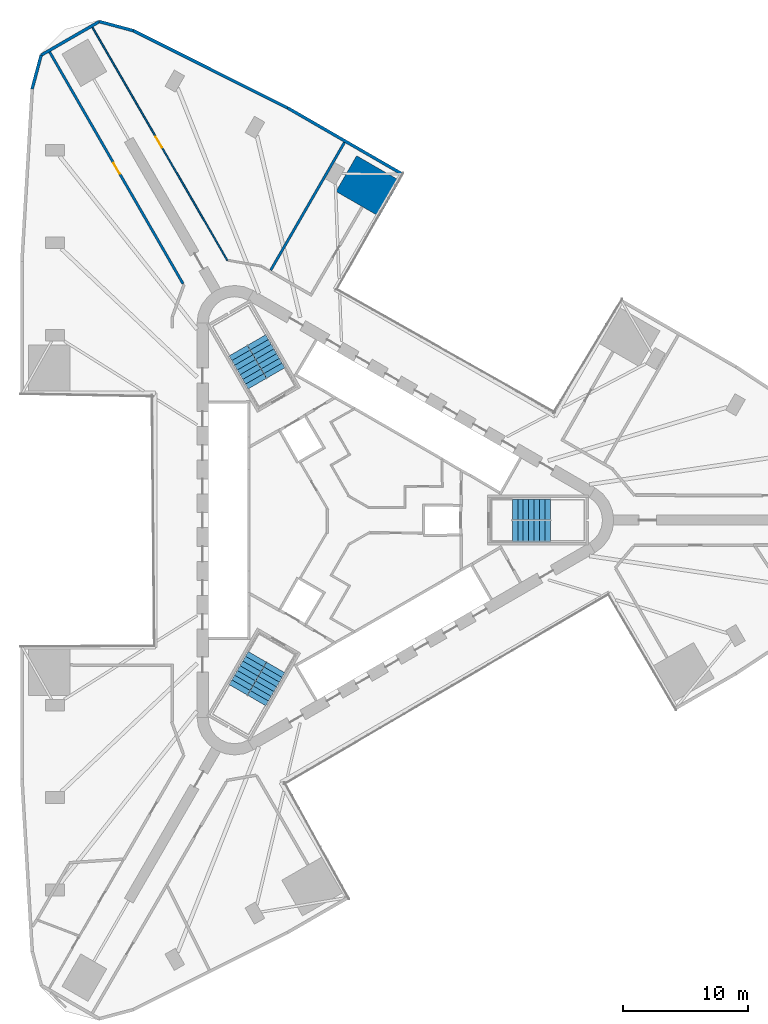
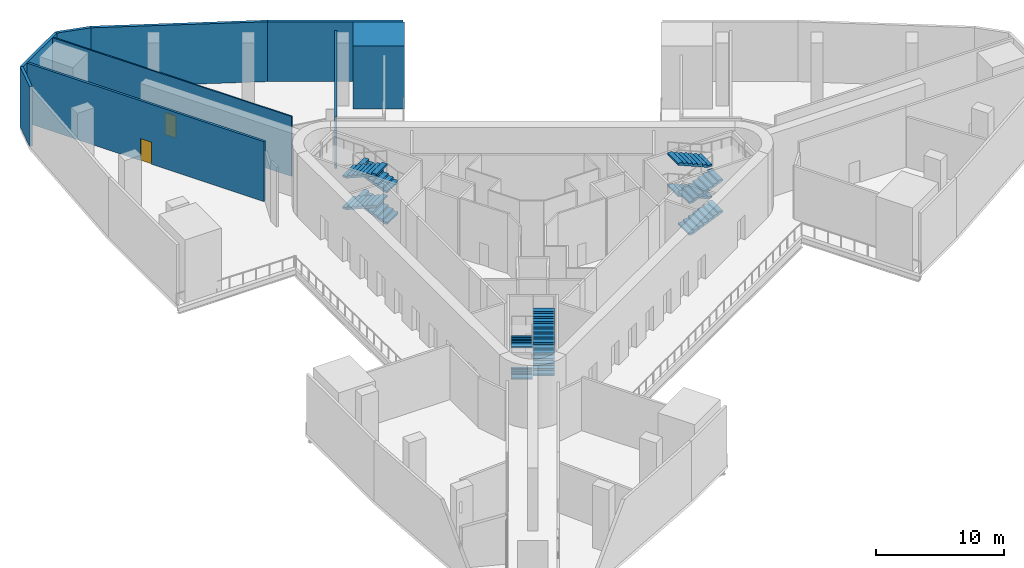
# One storey, part 8 of 11: 12 stair flights, 9 walls, 2 doors, 2 openings, 3 elements without a shape of their own.
"""IFC4 building model written with IfcOpenShell, lengths in metres."""

from ifc_helpers import new_model, si_unit, direction, frame, frame_2d, origin, place, context, subcontext, project, spatial, polyline, rectangle, outline, extrude, material, layer, layer_set, type_object, element, fill, aggregate, save


model = new_model("IFC4")

# Units and contexts
model_context = context("Model", 3, precision=1e-05, world=origin(), true_north=direction((0.0, 1.0)))
body_context = subcontext(model_context, "Body", "Model", "MODEL_VIEW")
ifc_project = project(units=[si_unit("LENGTHUNIT", "METRE"), si_unit("AREAUNIT", "SQUARE_METRE"), si_unit("VOLUMEUNIT", "CUBIC_METRE"), si_unit("PLANEANGLEUNIT", "RADIAN"), si_unit("MASSUNIT", "GRAM", prefix="KILO")], contexts=[model_context])

# Site, building, storey
site_placement = place(None, origin())
site = spatial("IfcSite", under=ifc_project, at=site_placement, CompositionType="ELEMENT")
building_placement = place(site_placement, origin())
building = spatial("IfcBuilding", under=site, at=building_placement, Name="Tanit Gate Tower", CompositionType="ELEMENT")
storey_placement = place(building_placement, frame((0.0, 0.0, 21.5)))
storey = spatial("IfcBuildingStorey", under=building, at=storey_placement, Name="L03", CompositionType="ELEMENT", Elevation=21.5)

# Walls
ifc_material_1 = material(Name="Concrete C30/37 with bronze anodised aluminium cladding", Category="concrete")
ifc_layer_1 = layer(ifc_material_1, 0.239990234375)
ifc_layer_set_1 = layer_set([ifc_layer_1], Name="Facade wall bronze clad 240")
wall_type_1 = type_object("IfcWallType", Name="Facade wall bronze clad 240", PredefinedType="SOLIDWALL", material=ifc_layer_set_1)
wall_1_placement = place(storey_placement, frame((4.2900390625, 27.669677734375, 0.0), z_axis=(0.0, 0.0, 1.0), x_axis=(-0.866062075984, 0.499936476508, 0.0)))
element("IfcWall", 1, at=wall_1_placement, inside=storey, type_object=wall_type_1, Name="Bronze-clad facade wall L03 NE2b", PredefinedType="SOLIDWALL", context=body_context, shape_type="SweptSolid", body=[
    extrude(rectangle(XDim=10.565673828125, YDim=0.239990234375, at=frame_2d((5.28271484375, 0.0))), origin(), (0.0, 0.0, 1.0), 5.699951171875),
])
wall_2_placement = place(storey_placement, frame((-4.860595703125, 32.951904296875, 0.0), z_axis=(0.0, 0.0, 1.0), x_axis=(-0.894285628533, 0.447496608478, 0.0)))
element("IfcWall", 2, at=wall_2_placement, inside=storey, type_object=wall_type_1, Name="Bronze-clad facade wall L03 NE3", PredefinedType="SOLIDWALL", context=body_context, shape_type="SweptSolid", body=[
    extrude(rectangle(XDim=13.80126953125, YDim=0.239990234375, at=frame_2d((6.900634765625, 0.0))), origin(), (0.0, 0.0, 1.0), 5.699951171875),
])
wall_3_placement = place(storey_placement, frame((-17.202880859375, 39.1279296875, 0.0), z_axis=(0.0, 0.0, 1.0), x_axis=(-0.965923146675, 0.25882904535, 0.0)))
element("IfcWall", 3, at=wall_3_placement, inside=storey, type_object=wall_type_1, Name="Bronze-clad facade wall L03 NW.arc1", PredefinedType="SOLIDWALL", context=body_context, shape_type="SweptSolid", body=[
    extrude(rectangle(XDim=2.800537109375, YDim=0.239990234375, at=frame_2d((1.400390625, 0.0))), origin(), (0.0, 0.0, 1.0), 5.699951171875),
])
wall_4_placement = place(storey_placement, frame((-19.907958984375, 39.852783203125, 0.0), z_axis=(0.0, 0.0, 1.0), x_axis=(-0.866010734295, -0.500025407441, 0.0)))
element("IfcWall", 4, at=wall_4_placement, inside=storey, type_object=wall_type_1, Name="Bronze-clad facade wall L03 NW.arc2", PredefinedType="SOLIDWALL", context=body_context, shape_type="SweptSolid", body=[
    extrude(rectangle(XDim=5.371337890625, YDim=0.239990234375, at=frame_2d((2.685546875, 0.0))), origin(), (0.0, 0.0, 1.0), 5.699951171875),
])
wall_5_placement = place(storey_placement, frame((-24.5595703125, 37.1669921875, 0.0), z_axis=(0.0, 0.0, 1.0), x_axis=(-0.258850842196, -0.965917305723, 0.0)))
element("IfcWall", 5, at=wall_5_placement, inside=storey, type_object=wall_type_1, Name="Bronze-clad facade wall L03 NW.arc3", PredefinedType="SOLIDWALL", context=body_context, shape_type="SweptSolid", body=[
    extrude(rectangle(XDim=2.80029296875, YDim=0.239990234375, at=frame_2d((1.400146484375, 0.0))), origin(), (0.0, 0.0, 1.0), 5.699951171875),
])

# Wall, opening, door
ifc_material_2 = material(Name="Fire-rated gypsum board partition")
ifc_layer_2 = layer(ifc_material_2, 0.199951171875)
ifc_layer_set_2 = layer_set([ifc_layer_2], Name="INT-WALL-COMPARTMENT")
wall_type_2 = type_object("IfcWallType", Name="INT-WALL-COMPARTMENT", PredefinedType="PARTITIONING", material=ifc_layer_set_2)
wall_6_placement = place(storey_placement, frame((-13.2216796875, 18.90087890625, 0.0), z_axis=(0.0, 0.0, 1.0), x_axis=(-0.498838585436, 0.866694909227, 0.0)))
wall_6 = element("IfcWall", 6, at=wall_6_placement, inside=storey, type_object=wall_type_2, Name="Wall Compartment W088", PredefinedType="PARTITIONING", context=body_context, shape_type="SweptSolid", body=[
    extrude(rectangle(XDim=21.367919921875, YDim=0.199951171875, at=frame_2d((10.68408203125, 0.0))), origin(), (0.0, 0.0, 1.0), 5.699951171875),
])
opening_1_placement = place(wall_6_placement, frame((10.134033203125, 0.0, 0.0)))
opening_1 = element("IfcOpeningElement", 7, at=opening_1_placement, cuts=wall_6, Name="Opening F10-03-14", PredefinedType="OPENING", context=body_context, shape_type="SweptSolid", body=[
    extrude(rectangle(XDim=1.0, YDim=2.10009765625, at=frame_2d((0.5, 1.050048828125))), frame((0.0, 0.10986328125, 0.0), z_axis=(0.0, -1.0, 0.0), x_axis=(1.0, 0.0, 0.0)), (0.0, 0.0, 1.0), 0.219970703125),
])
ifc_material_3 = material(Name="Fire-rated steel door leaf", Category="steel")
door_type_1 = type_object("IfcDoorType", Name="INT-DOOR-FIRE-1000", OperationType="NOTDEFINED", PredefinedType="USERDEFINED", material=ifc_material_3)
door_1_placement = place(opening_1_placement, origin())
door_1 = element("IfcDoor", 8, at=door_1_placement, inside=storey, type_object=door_type_1, Name="Door F10-03-14", ObjectType="FIRE DOOR", OperationType="SINGLE_SWING_RIGHT", OverallHeight=2.10009765625, OverallWidth=1.0, PredefinedType="USERDEFINED", context=body_context, shape_type="SweptSolid", body=[
    extrude(rectangle(XDim=1.0, YDim=2.10009765625, at=frame_2d((0.5, 1.050048828125))), frame((0.0, 0.02490234375, 0.0), z_axis=(0.0, -1.0, 0.0), x_axis=(1.0, 0.0, 0.0)), (0.0, 0.0, 1.0), 0.050048828125),
])
fill(opening_1, door_1)

# Wall
wall_7_placement = place(storey_placement, frame((-6.212158203125, 19.9833984375, 0.0), z_axis=(0.0, 0.0, 1.0), x_axis=(0.499938894435, 0.866060680225, 0.0)))
element("IfcWall", 9, at=wall_7_placement, inside=storey, type_object=wall_type_2, Name="Wall Compartment W111", PredefinedType="PARTITIONING", context=body_context, shape_type="SweptSolid", body=[
    extrude(rectangle(XDim=11.7822265625, YDim=0.199951171875, at=frame_2d((5.89111328125, 0.0))), origin(), (0.0, 0.0, 1.0), 4.8798828125),
])

# Wall, opening, door
ifc_material_4 = material(Name="Gypsum board partition")
ifc_layer_3 = layer(ifc_material_4, 0.1201171875)
ifc_layer_set_3 = layer_set([ifc_layer_3], Name="INT-WALL-PARTITION")
wall_type_3 = type_object("IfcWallType", Name="INT-WALL-PARTITION", PredefinedType="PARTITIONING", material=ifc_layer_set_3)
wall_8_placement = place(storey_placement, frame((-20.466552734375, 39.3916015625, 0.0), z_axis=(0.0, 0.0, 1.0), x_axis=(0.501152950446, -0.865358723455, 0.0)))
wall_8 = element("IfcWall", 10, at=wall_8_placement, inside=storey, type_object=wall_type_3, Name="Wall Partition W107", PredefinedType="PARTITIONING", context=body_context, shape_type="SweptSolid", body=[
    extrude(rectangle(XDim=21.526611328125, YDim=0.1201171875, at=frame_2d((10.76318359375, 0.0))), origin(), (0.0, 0.0, 1.0), 5.699951171875),
])
opening_2_placement = place(wall_8_placement, frame((10.099365234375, 0.0, 0.0)))
opening_2 = element("IfcOpeningElement", 11, at=opening_2_placement, cuts=wall_8, Name="Opening D10-03-20", PredefinedType="OPENING", context=body_context, shape_type="SweptSolid", body=[
    extrude(rectangle(XDim=1.0, YDim=2.10009765625, at=frame_2d((0.5, 1.050048828125))), frame((0.0, 0.070068359375, 0.0), z_axis=(0.0, -1.0, 0.0), x_axis=(1.0, 0.0, 0.0)), (0.0, 0.0, 1.0), 0.14013671875),
])
ifc_material_5 = material(Name="Timber door leaf", Category="wood")
door_type_2 = type_object("IfcDoorType", Name="INT-DOOR-SINGLE-1000", OperationType="NOTDEFINED", PredefinedType="NOTDEFINED", material=ifc_material_5)
door_2_placement = place(opening_2_placement, origin())
door_2 = element("IfcDoor", 12, at=door_2_placement, inside=storey, type_object=door_type_2, Name="Door D10-03-20", OperationType="SINGLE_SWING_LEFT", OverallHeight=2.10009765625, OverallWidth=1.0, PredefinedType="NOTDEFINED", context=body_context, shape_type="SweptSolid", body=[
    extrude(rectangle(XDim=1.0, YDim=2.10009765625, at=frame_2d((0.5, 1.050048828125))), frame((0.0, 0.02490234375, 0.0), z_axis=(0.0, -1.0, 0.0), x_axis=(1.0, 0.0, 0.0)), (0.0, 0.0, 1.0), 0.050048828125),
])
fill(opening_2, door_2)

# Wall
ifc_material_6 = material(Name="Concrete C60/75", Category="concrete")
ifc_layer_4 = layer(ifc_material_6, 4.0)
ifc_layer_set_4 = layer_set([ifc_layer_4], Name="PIER WALL 4000 C60/75")
wall_type_4 = type_object("IfcWallType", Name="PIER WALL 4000 C60/75", PredefinedType="SHEAR", material=ifc_layer_set_4)
wall_9_placement = place(storey_placement, origin())
element("IfcWall", 13, at=wall_9_placement, inside=storey, type_object=wall_type_4, Name="PIER WALL", PredefinedType="SHEAR", context=body_context, shape_type="SweptSolid", body=[
    extrude(outline(polyline([(4.116455078125, 27.1298828125), (0.65234375, 29.1298828125), (-0.99755859375, 26.27197265625), (2.466552734375, 24.27197265625), (4.116455078125, 27.1298828125)])), origin(), (0.0, 0.0, 1.0), 6.0),
])

# Stair, stair flights
ifc_material_7 = material(Name="Concrete C40/50", Category="concrete")
stair_type = type_object("IfcStairType", Name="INT-STAIR-EXIT", PredefinedType="HALF_TURN_STAIR", material=ifc_material_7)
stair_1_placement = place(storey_placement, origin())
stair_1 = element("IfcStair", 14, at=stair_1_placement, inside=storey, type_object=stair_type, Name="L03 STAIR S1", PredefinedType="HALF_TURN_STAIR")
ifc_material_8 = material(Name="Concrete C40/50", Category="concrete")
stair_flight_type = type_object("IfcStairFlightType", Name="INT-STAIR-FLIGHT", PredefinedType="STRAIGHT", material=ifc_material_8)
stair_flight_1_placement = place(storey_placement, frame((13.094970703125, -0.8525390625, 0.0), z_axis=(0.0, 0.0, 1.0), x_axis=(1.0, 0.0, 0.0)))
stair_flight_1 = element("IfcStairFlight", 15, at=stair_flight_1_placement, type_object=stair_flight_type, Name="S1 flight 1", NumberOfRisers=8, NumberOfTreads=7, PredefinedType="STRAIGHT", RiserHeight=0.1875, TreadLength=0.435857143, context=body_context, shape_type="SweptSolid", body=[
    extrude(outline(polyline([(0.0, 0.0), (0.0, 0.1875), (0.435791015625, 0.1875), (0.435791015625, 0.375), (0.871826171875, 0.375), (0.871826171875, 0.5625), (1.3076171875, 0.5625), (1.3076171875, 0.75), (1.743408203125, 0.75), (1.743408203125, 0.9375), (2.17919921875, 0.9375), (2.17919921875, 1.125), (2.615234375, 1.125), (2.615234375, 1.3125), (3.051025390625, 1.3125), (3.051025390625, 1.5), (3.051025390625, 1.1494140625), (0.37939453125, 0.0), (0.0, 0.0)])), frame((0.0, 0.84765625, 0.0), z_axis=(0.0, -1.0, 0.0), x_axis=(1.0, 0.0, 0.0)), (0.0, 0.0, 1.0), 1.695068359375),
])
stair_flight_2_placement = place(storey_placement, frame((16.14599609375, 0.8525390625, 1.5), z_axis=(0.0, 0.0, 1.0), x_axis=(-1.0, 0.0, 0.0)))
stair_flight_2 = element("IfcStairFlight", 16, at=stair_flight_2_placement, type_object=stair_flight_type, Name="S1 flight 2", NumberOfRisers=8, NumberOfTreads=7, PredefinedType="STRAIGHT", RiserHeight=0.1875, TreadLength=0.435857143, context=body_context, shape_type="SweptSolid", body=[
    extrude(outline(polyline([(0.0, 0.0), (0.0, 0.1875), (0.435791015625, 0.1875), (0.435791015625, 0.375), (0.871826171875, 0.375), (0.871826171875, 0.5625), (1.3076171875, 0.5625), (1.3076171875, 0.75), (1.743408203125, 0.75), (1.743408203125, 0.9375), (2.17919921875, 0.9375), (2.17919921875, 1.125), (2.615234375, 1.125), (2.615234375, 1.3125), (3.051025390625, 1.3125), (3.051025390625, 1.5), (3.051025390625, 1.1494140625), (0.37939453125, 0.0), (0.0, 0.0)])), frame((0.0, 0.84765625, 0.0), z_axis=(0.0, -1.0, 0.0), x_axis=(1.0, 0.0, 0.0)), (0.0, 0.0, 1.0), 1.695068359375),
])
stair_flight_3_placement = place(storey_placement, frame((13.094970703125, -0.8525390625, 3.0), z_axis=(0.0, 0.0, 1.0), x_axis=(1.0, 0.0, 0.0)))
stair_flight_3 = element("IfcStairFlight", 17, at=stair_flight_3_placement, type_object=stair_flight_type, Name="S1 flight 3", NumberOfRisers=8, NumberOfTreads=7, PredefinedType="STRAIGHT", RiserHeight=0.1875, TreadLength=0.435857143, context=body_context, shape_type="SweptSolid", body=[
    extrude(outline(polyline([(0.0, 0.0), (0.0, 0.1875), (0.435791015625, 0.1875), (0.435791015625, 0.375), (0.871826171875, 0.375), (0.871826171875, 0.5625), (1.3076171875, 0.5625), (1.3076171875, 0.75), (1.743408203125, 0.75), (1.743408203125, 0.9375), (2.17919921875, 0.9375), (2.17919921875, 1.125), (2.615234375, 1.125), (2.615234375, 1.3125), (3.051025390625, 1.3125), (3.051025390625, 1.5), (3.051025390625, 1.1494140625), (0.37939453125, 0.0), (0.0, 0.0)])), frame((0.0, 0.84765625, 0.0), z_axis=(0.0, -1.0, 0.0), x_axis=(1.0, 0.0, 0.0)), (0.0, 0.0, 1.0), 1.695068359375),
])
stair_flight_4_placement = place(storey_placement, frame((16.14599609375, 0.8525390625, 4.5), z_axis=(0.0, 0.0, 1.0), x_axis=(-1.0, 0.0, 0.0)))
stair_flight_4 = element("IfcStairFlight", 18, at=stair_flight_4_placement, type_object=stair_flight_type, Name="S1 flight 4", NumberOfRisers=8, NumberOfTreads=7, PredefinedType="STRAIGHT", RiserHeight=0.1875, TreadLength=0.435857143, context=body_context, shape_type="SweptSolid", body=[
    extrude(outline(polyline([(0.0, 0.0), (0.0, 0.1875), (0.435791015625, 0.1875), (0.435791015625, 0.375), (0.871826171875, 0.375), (0.871826171875, 0.5625), (1.3076171875, 0.5625), (1.3076171875, 0.75), (1.743408203125, 0.75), (1.743408203125, 0.9375), (2.17919921875, 0.9375), (2.17919921875, 1.125), (2.615234375, 1.125), (2.615234375, 1.3125), (3.051025390625, 1.3125), (3.051025390625, 1.5), (3.051025390625, 1.1494140625), (0.37939453125, 0.0), (0.0, 0.0)])), frame((0.0, 0.84765625, 0.0), z_axis=(0.0, -1.0, 0.0), x_axis=(1.0, 0.0, 0.0)), (0.0, 0.0, 1.0), 1.695068359375),
])
aggregate(stair_1, [stair_flight_1, stair_flight_2, stair_flight_3, stair_flight_4])

stair_2_placement = place(storey_placement, origin())
stair_2 = element("IfcStair", 19, at=stair_2_placement, inside=storey, type_object=stair_type, Name="L03 STAIR S2", PredefinedType="HALF_TURN_STAIR")
stair_flight_5_placement = place(storey_placement, frame((-5.808349609375, 11.766357421875, 0.0), z_axis=(0.0, 0.0, 1.0), x_axis=(-0.5, 0.866025403784, 0.0)))
stair_flight_5 = element("IfcStairFlight", 20, at=stair_flight_5_placement, type_object=stair_flight_type, Name="S2 flight 1", NumberOfRisers=8, NumberOfTreads=7, PredefinedType="STRAIGHT", RiserHeight=0.1875, TreadLength=0.4356, context=body_context, shape_type="SweptSolid", body=[
    extrude(outline(polyline([(0.0, 0.0), (0.0, 0.1875), (0.435546875, 0.1875), (0.435546875, 0.375), (0.87109375, 0.375), (0.87109375, 0.5625), (1.306884765625, 0.5625), (1.306884765625, 0.75), (1.742431640625, 0.75), (1.742431640625, 0.9375), (2.177978515625, 0.9375), (2.177978515625, 1.125), (2.613525390625, 1.125), (2.613525390625, 1.3125), (3.04931640625, 1.3125), (3.04931640625, 1.5), (3.04931640625, 1.1494140625), (0.379150390625, 0.0), (0.0, 0.0)])), frame((0.0, 0.84716796875, 0.0), z_axis=(0.0, -1.0, 0.0), x_axis=(1.0, 0.0, 0.0)), (0.0, 0.0, 1.0), 1.694091796875),
])
stair_flight_6_placement = place(storey_placement, frame((-8.810302734375, 13.553955078125, 1.5), z_axis=(0.0, 0.0, 1.0), x_axis=(0.5, -0.866025403784, 0.0)))
stair_flight_6 = element("IfcStairFlight", 21, at=stair_flight_6_placement, type_object=stair_flight_type, Name="S2 flight 2", NumberOfRisers=8, NumberOfTreads=7, PredefinedType="STRAIGHT", RiserHeight=0.1875, TreadLength=0.4356, context=body_context, shape_type="SweptSolid", body=[
    extrude(outline(polyline([(0.0, 0.0), (0.0, 0.1875), (0.435546875, 0.1875), (0.435546875, 0.375), (0.87109375, 0.375), (0.87109375, 0.5625), (1.306884765625, 0.5625), (1.306884765625, 0.75), (1.742431640625, 0.75), (1.742431640625, 0.9375), (2.177978515625, 0.9375), (2.177978515625, 1.125), (2.613525390625, 1.125), (2.613525390625, 1.3125), (3.04931640625, 1.3125), (3.04931640625, 1.5), (3.04931640625, 1.1494140625), (0.379150390625, 0.0), (0.0, 0.0)])), frame((0.0, 0.84716796875, 0.0), z_axis=(0.0, -1.0, 0.0), x_axis=(1.0, 0.0, 0.0)), (0.0, 0.0, 1.0), 1.694091796875),
])
stair_flight_7_placement = place(storey_placement, frame((-5.808349609375, 11.766357421875, 3.0), z_axis=(0.0, 0.0, 1.0), x_axis=(-0.5, 0.866025403784, 0.0)))
stair_flight_7 = element("IfcStairFlight", 22, at=stair_flight_7_placement, type_object=stair_flight_type, Name="S2 flight 3", NumberOfRisers=8, NumberOfTreads=7, PredefinedType="STRAIGHT", RiserHeight=0.1875, TreadLength=0.4356, context=body_context, shape_type="SweptSolid", body=[
    extrude(outline(polyline([(0.0, 0.0), (0.0, 0.1875), (0.435546875, 0.1875), (0.435546875, 0.375), (0.87109375, 0.375), (0.87109375, 0.5625), (1.306884765625, 0.5625), (1.306884765625, 0.75), (1.742431640625, 0.75), (1.742431640625, 0.9375), (2.177978515625, 0.9375), (2.177978515625, 1.125), (2.613525390625, 1.125), (2.613525390625, 1.3125), (3.04931640625, 1.3125), (3.04931640625, 1.5), (3.04931640625, 1.1494140625), (0.379150390625, 0.0), (0.0, 0.0)])), frame((0.0, 0.84716796875, 0.0), z_axis=(0.0, -1.0, 0.0), x_axis=(1.0, 0.0, 0.0)), (0.0, 0.0, 1.0), 1.694091796875),
])
stair_flight_8_placement = place(storey_placement, frame((-8.810302734375, 13.553955078125, 4.5), z_axis=(0.0, 0.0, 1.0), x_axis=(0.5, -0.866025403784, 0.0)))
stair_flight_8 = element("IfcStairFlight", 23, at=stair_flight_8_placement, type_object=stair_flight_type, Name="S2 flight 4", NumberOfRisers=8, NumberOfTreads=7, PredefinedType="STRAIGHT", RiserHeight=0.1875, TreadLength=0.4356, context=body_context, shape_type="SweptSolid", body=[
    extrude(outline(polyline([(0.0, 0.0), (0.0, 0.1875), (0.435546875, 0.1875), (0.435546875, 0.375), (0.87109375, 0.375), (0.87109375, 0.5625), (1.306884765625, 0.5625), (1.306884765625, 0.75), (1.742431640625, 0.75), (1.742431640625, 0.9375), (2.177978515625, 0.9375), (2.177978515625, 1.125), (2.613525390625, 1.125), (2.613525390625, 1.3125), (3.04931640625, 1.3125), (3.04931640625, 1.5), (3.04931640625, 1.1494140625), (0.379150390625, 0.0), (0.0, 0.0)])), frame((0.0, 0.84716796875, 0.0), z_axis=(0.0, -1.0, 0.0), x_axis=(1.0, 0.0, 0.0)), (0.0, 0.0, 1.0), 1.694091796875),
])
aggregate(stair_2, [stair_flight_5, stair_flight_6, stair_flight_7, stair_flight_8])

stair_3_placement = place(storey_placement, origin())
stair_3 = element("IfcStair", 24, at=stair_3_placement, inside=storey, type_object=stair_type, Name="L03 STAIR S3", PredefinedType="HALF_TURN_STAIR")
stair_flight_9_placement = place(storey_placement, frame((-7.285888671875, -10.914306640625, 0.0), z_axis=(0.0, 0.0, 1.0), x_axis=(-0.5, -0.866025403784, 0.0)))
stair_flight_9 = element("IfcStairFlight", 25, at=stair_flight_9_placement, type_object=stair_flight_type, Name="S3 flight 1", NumberOfRisers=8, NumberOfTreads=7, PredefinedType="STRAIGHT", RiserHeight=0.1875, TreadLength=0.435857143, context=body_context, shape_type="SweptSolid", body=[
    extrude(outline(polyline([(0.0, 0.0), (0.0, 0.1875), (0.435791015625, 0.1875), (0.435791015625, 0.375), (0.871826171875, 0.375), (0.871826171875, 0.5625), (1.3076171875, 0.5625), (1.3076171875, 0.75), (1.743408203125, 0.75), (1.743408203125, 0.9375), (2.17919921875, 0.9375), (2.17919921875, 1.125), (2.615234375, 1.125), (2.615234375, 1.3125), (3.051025390625, 1.3125), (3.051025390625, 1.5), (3.051025390625, 1.1494140625), (0.37939453125, 0.0), (0.0, 0.0)])), frame((0.0, 0.84765625, 0.0), z_axis=(0.0, -1.0, 0.0), x_axis=(1.0, 0.0, 0.0)), (0.0, 0.0, 1.0), 1.695068359375),
])
stair_flight_10_placement = place(storey_placement, frame((-7.334716796875, -14.4091796875, 1.5), z_axis=(0.0, 0.0, 1.0), x_axis=(0.5, 0.866025403784, 0.0)))
stair_flight_10 = element("IfcStairFlight", 26, at=stair_flight_10_placement, type_object=stair_flight_type, Name="S3 flight 2", NumberOfRisers=8, NumberOfTreads=7, PredefinedType="STRAIGHT", RiserHeight=0.1875, TreadLength=0.435857143, context=body_context, shape_type="SweptSolid", body=[
    extrude(outline(polyline([(0.0, 0.0), (0.0, 0.1875), (0.435791015625, 0.1875), (0.435791015625, 0.375), (0.871826171875, 0.375), (0.871826171875, 0.5625), (1.3076171875, 0.5625), (1.3076171875, 0.75), (1.743408203125, 0.75), (1.743408203125, 0.9375), (2.17919921875, 0.9375), (2.17919921875, 1.125), (2.615234375, 1.125), (2.615234375, 1.3125), (3.051025390625, 1.3125), (3.051025390625, 1.5), (3.051025390625, 1.1494140625), (0.37939453125, 0.0), (0.0, 0.0)])), frame((0.0, 0.84765625, 0.0), z_axis=(0.0, -1.0, 0.0), x_axis=(1.0, 0.0, 0.0)), (0.0, 0.0, 1.0), 1.695068359375),
])
stair_flight_11_placement = place(storey_placement, frame((-7.285888671875, -10.914306640625, 3.0), z_axis=(0.0, 0.0, 1.0), x_axis=(-0.5, -0.866025403784, 0.0)))
stair_flight_11 = element("IfcStairFlight", 27, at=stair_flight_11_placement, type_object=stair_flight_type, Name="S3 flight 3", NumberOfRisers=8, NumberOfTreads=7, PredefinedType="STRAIGHT", RiserHeight=0.1875, TreadLength=0.435857143, context=body_context, shape_type="SweptSolid", body=[
    extrude(outline(polyline([(0.0, 0.0), (0.0, 0.1875), (0.435791015625, 0.1875), (0.435791015625, 0.375), (0.871826171875, 0.375), (0.871826171875, 0.5625), (1.3076171875, 0.5625), (1.3076171875, 0.75), (1.743408203125, 0.75), (1.743408203125, 0.9375), (2.17919921875, 0.9375), (2.17919921875, 1.125), (2.615234375, 1.125), (2.615234375, 1.3125), (3.051025390625, 1.3125), (3.051025390625, 1.5), (3.051025390625, 1.1494140625), (0.37939453125, 0.0), (0.0, 0.0)])), frame((0.0, 0.84765625, 0.0), z_axis=(0.0, -1.0, 0.0), x_axis=(1.0, 0.0, 0.0)), (0.0, 0.0, 1.0), 1.695068359375),
])
stair_flight_12_placement = place(storey_placement, frame((-7.334716796875, -14.4091796875, 4.5), z_axis=(0.0, 0.0, 1.0), x_axis=(0.5, 0.866025403784, 0.0)))
stair_flight_12 = element("IfcStairFlight", 28, at=stair_flight_12_placement, type_object=stair_flight_type, Name="S3 flight 4", NumberOfRisers=8, NumberOfTreads=7, PredefinedType="STRAIGHT", RiserHeight=0.1875, TreadLength=0.435857143, context=body_context, shape_type="SweptSolid", body=[
    extrude(outline(polyline([(0.0, 0.0), (0.0, 0.1875), (0.435791015625, 0.1875), (0.435791015625, 0.375), (0.871826171875, 0.375), (0.871826171875, 0.5625), (1.3076171875, 0.5625), (1.3076171875, 0.75), (1.743408203125, 0.75), (1.743408203125, 0.9375), (2.17919921875, 0.9375), (2.17919921875, 1.125), (2.615234375, 1.125), (2.615234375, 1.3125), (3.051025390625, 1.3125), (3.051025390625, 1.5), (3.051025390625, 1.1494140625), (0.37939453125, 0.0), (0.0, 0.0)])), frame((0.0, 0.84765625, 0.0), z_axis=(0.0, -1.0, 0.0), x_axis=(1.0, 0.0, 0.0)), (0.0, 0.0, 1.0), 1.695068359375),
])
aggregate(stair_3, [stair_flight_9, stair_flight_10, stair_flight_11, stair_flight_12])

save(model, "model.ifc")
